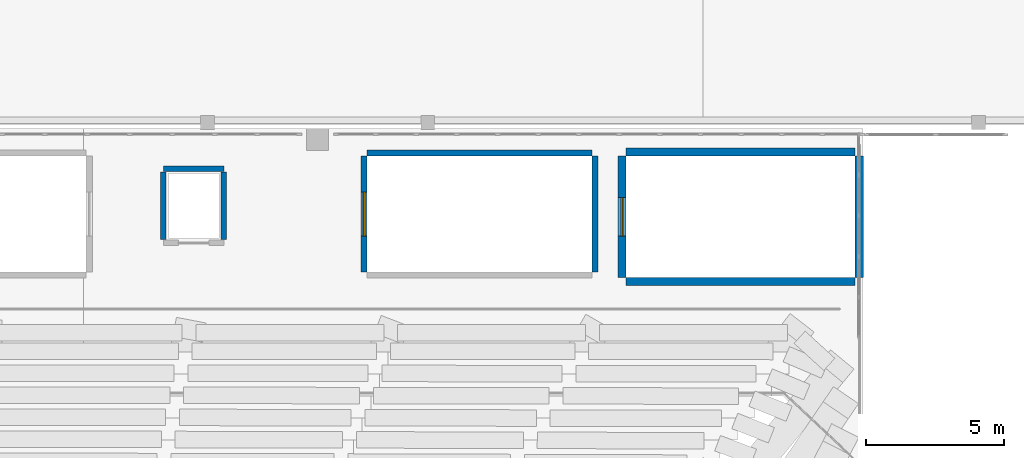
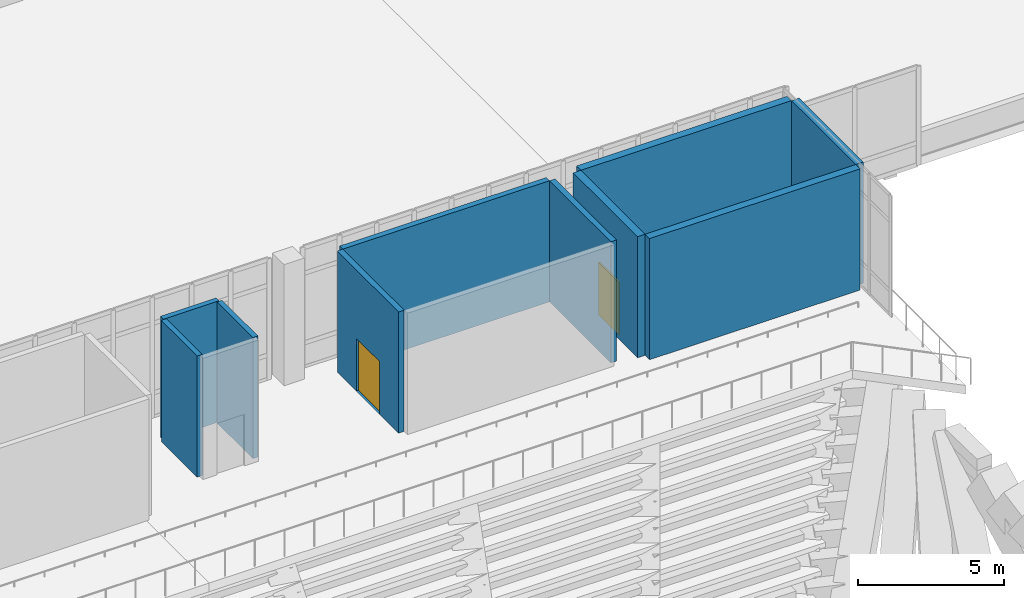
# One storey, part 48 of 55: 10 walls, 2 doors, 2 openings.
"""IFC4 building model written with IfcOpenShell, lengths in metres."""

from ifc_helpers import new_model, si_unit, derived_unit, direction, frame, frame_2d, origin, place, context, subcontext, project, spatial, rectangle, extrude, material, layer, layer_set, type_object, element, fill, save


model = new_model("IFC4")

# Units and contexts
model_context = context("Model", 3, precision=1e-05, world=origin(), true_north=direction((0.0, 1.0)))
body_context = subcontext(model_context, "Body", "Model", "MODEL_VIEW")
ifc_project = project(units=[si_unit("LENGTHUNIT", "METRE"), si_unit("AREAUNIT", "SQUARE_METRE"), si_unit("VOLUMEUNIT", "CUBIC_METRE"), si_unit("PLANEANGLEUNIT", "RADIAN"), si_unit("MASSUNIT", "GRAM", prefix="KILO"), derived_unit("THERMALTRANSMITTANCEUNIT", [(si_unit("MASSUNIT", "GRAM", prefix="KILO"), 1), (si_unit("TIMEUNIT", "SECOND"), -3), (si_unit("THERMODYNAMICTEMPERATUREUNIT", "KELVIN"), -1)])], contexts=[model_context])

# Site, building, storey
site_placement = place(None, origin())
site = spatial("IfcSite", under=ifc_project, at=site_placement, CompositionType="ELEMENT")
building_placement = place(site_placement, origin())
building = spatial("IfcBuilding", under=site, at=building_placement, Name="Valcora Ridge Arena", CompositionType="ELEMENT")
storey_placement = place(building_placement, frame((0.0, 0.0, 21.0)))
storey = spatial("IfcBuildingStorey", under=building, at=storey_placement, Name="L04", CompositionType="ELEMENT", Elevation=21.0)

# Walls
ifc_material_1 = material(Name="Concrete C40/50", Category="concrete")
ifc_layer_1 = layer(ifc_material_1, 0.199951171875, Name="Concrete C40/50")
ifc_layer_set_1 = layer_set([ifc_layer_1], Name="Concrete C40/50")
wall_type_1 = type_object("IfcWallType", Name="TY-WALL-IW-SHF-200", PredefinedType="STANDARD", material=ifc_layer_set_1)
wall_1_placement = place(storey_placement, frame((64.39990234375, 106.75, 0.0), z_axis=(0.0, 0.0, 1.0), x_axis=(1.0, 0.0, 0.0)))
element("IfcWall", 1, at=wall_1_placement, inside=storey, type_object=wall_type_1, Name="IW-SHF-200 WAL-SH-0150", PredefinedType="STANDARD", context=body_context, shape_type="SweptSolid", body=[
    extrude(rectangle(XDim=2.2001953125, YDim=0.199951171875, at=frame_2d((1.10009765625, 0.0))), origin(), (0.0, 0.0, 1.0), 5.06005859375),
])
for number, where, z_axis, x_axis, name in (
    (2, (64.39990234375, 104.169921875, 0.0), (0.0, 0.0, 1.0), (0.0, 1.0, 0.0), "IW-SHF-200 WAL-SH-0151"),
    (3, (66.60009765625, 104.169921875, 0.0), (0.0, 0.0, 1.0), (0.0, 1.0, 0.0), "IW-SHF-200 WAL-SH-0152"),
):
    element("IfcWall", number, at=place(storey_placement, frame(where, z_axis=z_axis, x_axis=x_axis)), inside=storey, type_object=wall_type_1, Name=name, PredefinedType="STANDARD", context=body_context, shape_type="SweptSolid", body=[
        extrude(rectangle(XDim=2.4599609375, YDim=0.199951171875, at=frame_2d((1.22998046875, 0.0))), origin(), (0.0, 0.0, 1.0), 5.06005859375),
    ])
ifc_material_2 = material(Name="Concrete C45/55", Category="concrete")
ifc_layer_2 = layer(ifc_material_2, 0.300048828125, Name="Concrete C45/55")
ifc_layer_set_2 = layer_set([ifc_layer_2], Name="Concrete C45/55")
wall_type_2 = type_object("IfcWallType", Name="TY-WALL-SW-C300-L", PredefinedType="SHEAR", material=ifc_layer_set_2)
for number, where, z_axis, x_axis, name in (
    (4, (81.199951171875, 102.64990234375, 0.0), (0.0, 0.0, 1.0), (1.0, 0.0, 0.0), "SW-C300-L WAL-CR-0101"),
    (5, (81.199951171875, 107.35009765625, 0.0), (0.0, 0.0, 1.0), (1.0, 0.0, 0.0), "SW-C300-L WAL-CR-0102"),
):
    element("IfcWall", number, at=place(storey_placement, frame(where, z_axis=z_axis, x_axis=x_axis)), inside=storey, type_object=wall_type_2, Name=name, PredefinedType="SHEAR", context=body_context, shape_type="SweptSolid", body=[
        extrude(rectangle(XDim=8.320068359375, YDim=0.300048828125, at=frame_2d((4.16015625, 0.0))), origin(), (0.0, 0.0, 1.0), 5.06005859375),
    ])

# Wall, opening, door
ifc_layer_3 = layer(ifc_material_2, 0.300048828125, Name="Concrete C45/55")
ifc_layer_set_3 = layer_set([ifc_layer_3], Name="Concrete C45/55")
wall_type_3 = type_object("IfcWallType", Name="TY-WALL-SW-C300-S", PredefinedType="SHEAR", material=ifc_layer_set_3)
wall_2_placement = place(storey_placement, frame((81.050048828125, 102.800048828125, 0.0), z_axis=(0.0, 0.0, 1.0), x_axis=(0.0, 1.0, 0.0)))
wall_2 = element("IfcWall", 6, at=wall_2_placement, inside=storey, type_object=wall_type_3, Name="SW-C300-S WAL-CR-0103", PredefinedType="SHEAR", context=body_context, shape_type="SweptSolid", body=[
    extrude(rectangle(XDim=4.39990234375, YDim=0.300048828125, at=frame_2d((2.199951171875, 0.0))), origin(), (0.0, 0.0, 1.0), 5.06005859375),
])
opening_1_placement = place(wall_2_placement, frame((1.5, 0.0, 0.0)))
opening_1 = element("IfcOpeningElement", 7, at=opening_1_placement, cuts=wall_2, Name="Opening FD-01", PredefinedType="OPENING", context=body_context, shape_type="SweptSolid", body=[
    extrude(rectangle(XDim=1.39990234375, YDim=2.199951171875, at=frame_2d((0.699951171875, 1.10009765625))), frame((0.0, 0.159912109375, 0.0), z_axis=(0.0, -1.0, 0.0), x_axis=(1.0, 0.0, 0.0)), (0.0, 0.0, 1.0), 0.320068359375),
])
ifc_material_3 = material(Name="Insulated fire-rated steel door leaf", Category="steel")
door_type_1 = type_object("IfcDoorType", Name="TY-DOOR-FD-01", OperationType="NOTDEFINED", PredefinedType="DOOR", material=ifc_material_3)
door_1_placement = place(opening_1_placement, origin())
door_1 = element("IfcDoor", 8, at=door_1_placement, inside=storey, type_object=door_type_1, Name="FD-01 DOR-ST-0026", OperationType="DOUBLE_DOOR_SINGLE_SWING", OverallHeight=2.199951171875, OverallWidth=1.39990234375, PredefinedType="DOOR", context=body_context, shape_type="SweptSolid", body=[
    extrude(rectangle(XDim=1.39990234375, YDim=2.199951171875, at=frame_2d((0.699951171875, 1.10009765625))), frame((0.0, 0.02490234375, 0.0), z_axis=(0.0, -1.0, 0.0), x_axis=(1.0, 0.0, 0.0)), (0.0, 0.0, 1.0), 0.050048828125),
])
fill(opening_1, door_1)

# Walls
wall_3_placement = place(storey_placement, frame((89.669921875, 102.800048828125, 0.0), z_axis=(0.0, 0.0, 1.0), x_axis=(0.0, 1.0, 0.0)))
element("IfcWall", 9, at=wall_3_placement, inside=storey, type_object=wall_type_3, Name="SW-C300-S WAL-CR-0104", PredefinedType="SHEAR", context=body_context, shape_type="SweptSolid", body=[
    extrude(rectangle(XDim=4.39990234375, YDim=0.300048828125, at=frame_2d((2.199951171875, 0.0))), origin(), (0.0, 0.0, 1.0), 5.06005859375),
])
ifc_material_4 = material(Name="Fire-resisting reinforced concrete enclosure C40/50 200 mm", Category="concrete")
ifc_layer_4 = layer(ifc_material_4, 0.219970703125, Name="Fire-resisting reinforced concrete enclosure C40/50 200 mm")
ifc_layer_set_4 = layer_set([ifc_layer_4], Name="Fire-resisting reinforced concrete enclosure C40/50 200 mm")
wall_type_4 = type_object("IfcWallType", Name="TY-WALL-SW-ES-220", PredefinedType="SHEAR", material=ifc_layer_set_4)
wall_4_placement = place(storey_placement, frame((71.800048828125, 107.31005859375, 0.0), z_axis=(0.0, 0.0, 1.0), x_axis=(1.0, 0.0, 0.0)))
element("IfcWall", 10, at=wall_4_placement, inside=storey, type_object=wall_type_4, Name="SW-ES-220 WAL-ES-0094", PredefinedType="SHEAR", context=body_context, shape_type="SweptSolid", body=[
    extrude(rectangle(XDim=8.159912109375, YDim=0.219970703125, at=frame_2d((4.080078125, 0.0))), origin(), (0.0, 0.0, 1.0), 5.06005859375),
])

# Wall, opening, door
wall_5_placement = place(storey_placement, frame((71.68994140625, 103.0, 0.0), z_axis=(0.0, 0.0, 1.0), x_axis=(0.0, 1.0, 0.0)))
wall_5 = element("IfcWall", 11, at=wall_5_placement, inside=storey, type_object=wall_type_4, Name="SW-ES-220 WAL-ES-0095", PredefinedType="SHEAR", context=body_context, shape_type="SweptSolid", body=[
    extrude(rectangle(XDim=4.199951171875, YDim=0.219970703125, at=frame_2d((2.10009765625, 0.0))), origin(), (0.0, 0.0, 1.0), 5.06005859375),
])
opening_2_placement = place(wall_5_placement, frame((1.300048828125, 0.0, 0.0)))
opening_2 = element("IfcOpeningElement", 12, at=opening_2_placement, cuts=wall_5, Name="Opening FD-02", PredefinedType="OPENING", context=body_context, shape_type="SweptSolid", body=[
    extrude(rectangle(XDim=1.60009765625, YDim=2.199951171875, at=frame_2d((0.800048828125, 1.10009765625))), frame((0.0, 0.119873046875, 0.0), z_axis=(0.0, -1.0, 0.0), x_axis=(1.0, 0.0, 0.0)), (0.0, 0.0, 1.0), 0.239990234375),
])
door_type_2 = type_object("IfcDoorType", Name="TY-DOOR-FD-02", OperationType="NOTDEFINED", PredefinedType="DOOR", material=ifc_material_3)
door_2_placement = place(opening_2_placement, origin())
door_2 = element("IfcDoor", 13, at=door_2_placement, inside=storey, type_object=door_type_2, Name="FD-02 DOR-ES-0020", OperationType="DOUBLE_DOOR_SINGLE_SWING", OverallHeight=2.199951171875, OverallWidth=1.60009765625, PredefinedType="DOOR", context=body_context, shape_type="SweptSolid", body=[
    extrude(rectangle(XDim=1.60009765625, YDim=2.199951171875, at=frame_2d((0.800048828125, 1.10009765625))), frame((0.0, 0.02490234375, 0.0), z_axis=(0.0, -1.0, 0.0), x_axis=(1.0, 0.0, 0.0)), (0.0, 0.0, 1.0), 0.050048828125),
])
fill(opening_2, door_2)

# Wall
wall_6_placement = place(storey_placement, frame((80.070068359375, 103.0, 0.0), z_axis=(0.0, 0.0, 1.0), x_axis=(0.0, 1.0, 0.0)))
element("IfcWall", 14, at=wall_6_placement, inside=storey, type_object=wall_type_4, Name="SW-ES-220 WAL-ES-0096", PredefinedType="SHEAR", context=body_context, shape_type="SweptSolid", body=[
    extrude(rectangle(XDim=4.199951171875, YDim=0.219970703125, at=frame_2d((2.10009765625, 0.0))), origin(), (0.0, 0.0, 1.0), 5.06005859375),
])

save(model, "model.ifc")
